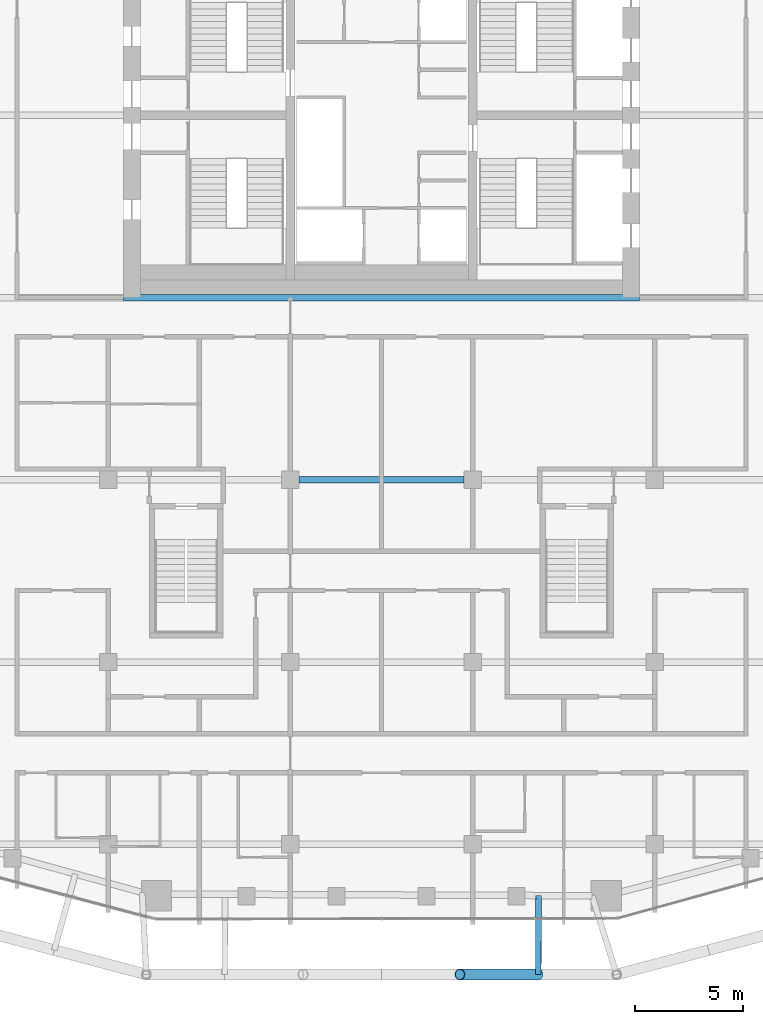
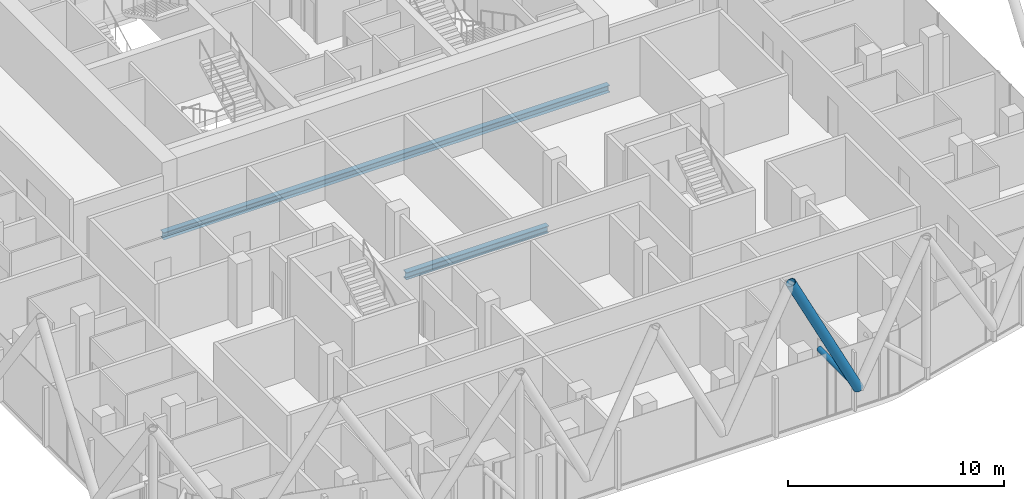
# One storey, part 5 of 31: 2 beams, 2 members.
"""IFC4 building model written with IfcOpenShell, lengths in metres."""

from ifc_helpers import new_model, si_unit, direction, frame, origin, origin_2d, place, context, subcontext, project, spatial, hollow_circle, i_section, extrude, material, material_profile, profile_set, type_object, element, save


model = new_model("IFC4")

# Units and contexts
model_context = context("Model", 3, precision=1e-05, world=origin(), true_north=direction((0.0, 1.0)))
body_context = subcontext(model_context, "Body", "Model", "MODEL_VIEW")
ifc_project = project(units=[si_unit("LENGTHUNIT", "METRE"), si_unit("AREAUNIT", "SQUARE_METRE"), si_unit("VOLUMEUNIT", "CUBIC_METRE"), si_unit("PLANEANGLEUNIT", "RADIAN"), si_unit("MASSUNIT", "GRAM", prefix="KILO")], contexts=[model_context])

# Site, building, storey
site_placement = place(None, origin())
site = spatial("IfcSite", under=ifc_project, at=site_placement, CompositionType="ELEMENT")
building_placement = place(site_placement, origin())
building = spatial("IfcBuilding", under=site, at=building_placement, Name="Marenta Gate Hotel Tower", CompositionType="ELEMENT")
storey_placement = place(building_placement, frame((0.0, 0.0, 191.300048828125)))
storey = spatial("IfcBuildingStorey", under=building, at=storey_placement, Name="L43", CompositionType="ELEMENT", Elevation=191.300048828125)

# Members
ifc_material_1 = material(Name="Steel S355J2W", Category="steel")
ifc_material_profile_1 = material_profile(ifc_material_1, hollow_circle(Radius=0.25390625, WallThickness=0.02490234375, at=origin_2d()), Name="CHS 508x25")
ifc_profile_set_1 = profile_set([ifc_material_profile_1], Name="Steel S355J2W")
member_type_1 = type_object("IfcMemberType", Name="Diagrid diagonal Z3 CHS 508x25", PredefinedType="BRACE", material=ifc_profile_set_1)
member_1_placement = place(storey_placement, frame((7.22607421875, -31.199951171875, 3.139892578125), z_axis=(-0.44851025603, 0.0, 0.893777685018), x_axis=(0.0, -1.0, 0.0)))
element("IfcMember", 1, at=member_1_placement, inside=storey, type_object=member_type_1, Name="L43-DG-16", PredefinedType="BRACE", context=body_context, shape_type="SweptSolid", body=[
    extrude(hollow_circle(Radius=0.25390625, WallThickness=0.02490234375, at=origin_2d()), origin(), (0.0, 0.0, 1.0), 8.0556640625),
])
ifc_material_2 = material(Name="Steel S355J2W", Category="steel")
ifc_material_profile_2 = material_profile(ifc_material_2, hollow_circle(Radius=0.136474609375, WallThickness=0.012451171875, at=origin_2d()), Name="CHS 273x12.5")
ifc_profile_set_2 = profile_set([ifc_material_profile_2], Name="Steel S355J2W")
member_type_2 = type_object("IfcMemberType", Name="Floor tie CHS 273x12.5", PredefinedType="STRUT", material=ifc_profile_set_2)
member_2_placement = place(storey_placement, frame((7.22607421875, -31.199951171875, 3.139892578125), z_axis=(0.003830102265, 0.999992665131, 0.0), x_axis=(-0.999992665131, 0.003830102265, 0.0)))
element("IfcMember", 2, at=member_2_placement, inside=storey, type_object=member_type_2, Name="L43-DR-14", PredefinedType="STRUT", context=body_context, shape_type="SweptSolid", body=[
    extrude(hollow_circle(Radius=0.136474609375, WallThickness=0.012451171875, at=origin_2d()), origin(), (0.0, 0.0, 1.0), 3.63330078125),
])

# Beams
ifc_material_3 = material(Name="Steel S355", Category="steel")
ifc_material_profile_3 = material_profile(ifc_material_3, i_section(OverallWidth=0.300048828125, OverallDepth=0.39990234375, WebThickness=0.013427734375, FlangeThickness=0.02392578125, FilletRadius=0.027099609375, at=origin_2d()), Name="HEB 400")
ifc_profile_set_3 = profile_set([ifc_material_profile_3], Name="Steel S355")
beam_type = type_object("IfcBeamType", Name="Girder HEB 400", PredefinedType="BEAM", material=ifc_profile_set_3)
beam_1_placement = place(storey_placement, frame((-3.800048828125, -8.39990234375, -0.4599609375), z_axis=(1.0, 0.0, 0.0), x_axis=(0.0, 1.0, 0.0)))
element("IfcBeam", 3, at=beam_1_placement, inside=storey, type_object=beam_type, Name="L43-GD-16", PredefinedType="BEAM", context=body_context, shape_type="SweptSolid", body=[
    extrude(i_section(OverallWidth=0.300048828125, OverallDepth=0.39990234375, WebThickness=0.013427734375, FlangeThickness=0.02392578125, FilletRadius=0.027099609375, at=origin_2d()), origin(), (0.0, 0.0, 1.0), 7.60009765625),
])
beam_2_placement = place(storey_placement, frame((-11.89990234375, 0.0, -0.4599609375), z_axis=(1.0, 0.0, 0.0), x_axis=(0.0, 1.0, 0.0)))
element("IfcBeam", 4, at=beam_2_placement, inside=storey, type_object=beam_type, Name="L43-GD-22", PredefinedType="BEAM", context=body_context, shape_type="SweptSolid", body=[
    extrude(i_section(OverallWidth=0.300048828125, OverallDepth=0.39990234375, WebThickness=0.013427734375, FlangeThickness=0.02392578125, FilletRadius=0.027099609375, at=origin_2d()), origin(), (0.0, 0.0, 1.0), 23.7998046875),
])

save(model, "model.ifc")
